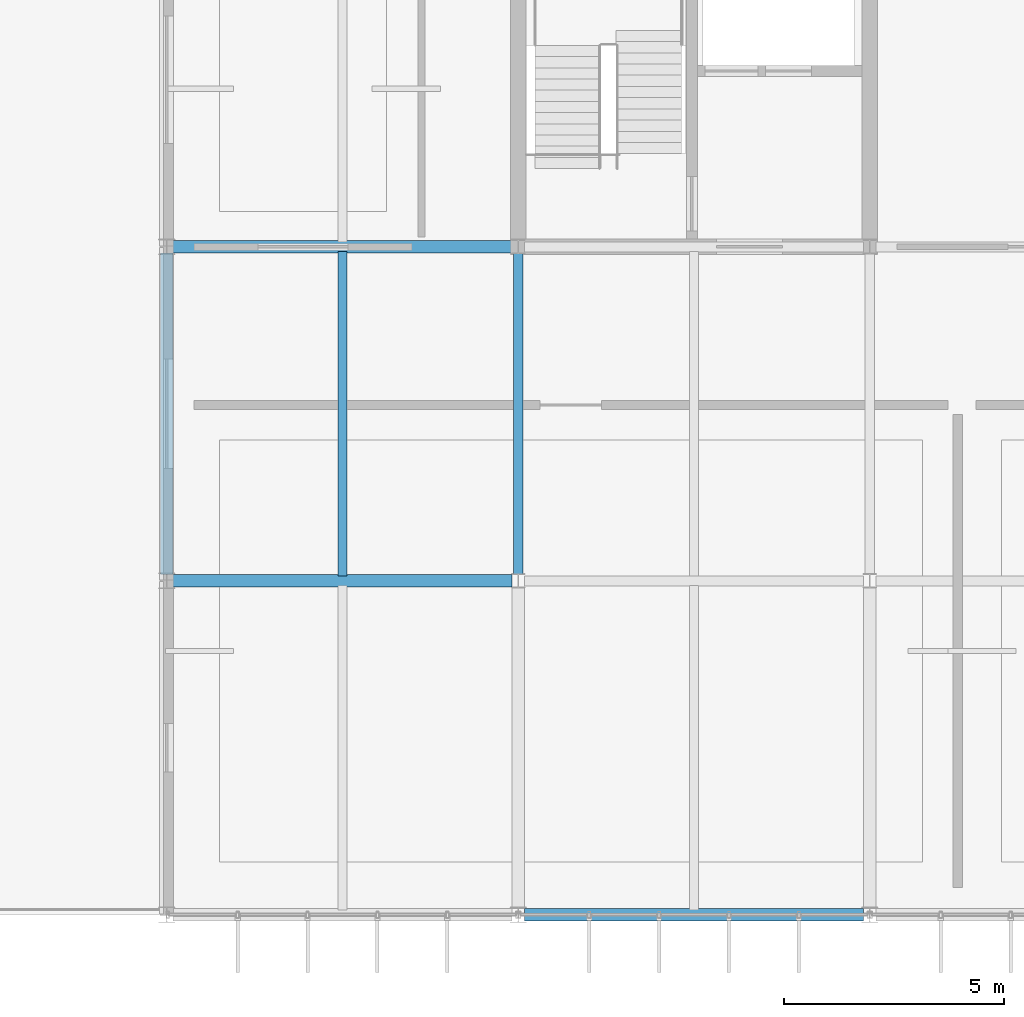
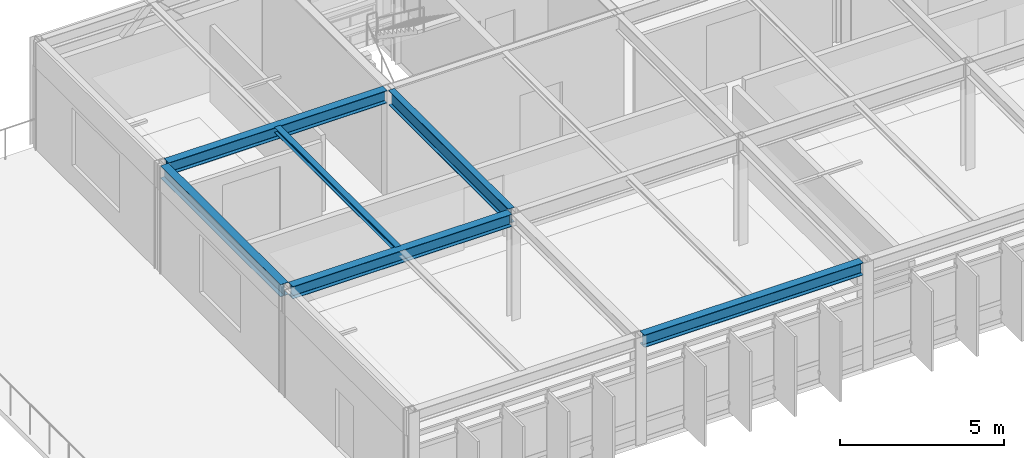
# One storey, part 10 of 45: 6 beams.
"""IFC4 building model written with IfcOpenShell, lengths in metres."""

import ifcopenshell
import ifcopenshell.guid

model = None  # the IFC model being written
_history = None  # IfcOwnerHistory: only IFC2X3 demands one
_inside = {}  # id of a spatial element -> (the spatial element, [elements in it])
_under = {}  # id of a project, library or spatial element -> (it, [spatial elements below it])
_declared = {}  # id of a project -> (the project, [libraries it declares])
_typed = {}  # id of a type object -> (the type object, [elements of that type])
_made_of = {}  # id of a material, layer set ... -> (it, [elements and type objects made of it])


def new_model(schema):
    """Start an empty IFC model of exactly this schema.

    Asked for "IFC4X3", IfcOpenShell would pick the latest addendum, in which some entities
    have other attributes; the version numbers below select the first issue.
    IFC2X3 requires an IfcOwnerHistory on every rooted entity: one is made here for all.
    """
    global model, _history
    if schema == "IFC4X3":
        model = ifcopenshell.file(schema_version=(4, 3, 0, 0))
    else:
        model = ifcopenshell.file(schema=schema)
    _inside.clear()
    _under.clear()
    _declared.clear()
    _typed.clear()
    _made_of.clear()
    _history = None
    if model.schema == "IFC2X3":
        org = make("IfcOrganization", Name="unknown")
        user = make(
            "IfcPersonAndOrganization",
            ThePerson=make("IfcPerson", FamilyName="unknown"),
            TheOrganization=org,
        )
        app = make(
            "IfcApplication",
            ApplicationDeveloper=org,
            Version="unknown",
            ApplicationFullName="unknown",
            ApplicationIdentifier="unknown",
        )
        _history = make(
            "IfcOwnerHistory",
            OwningUser=user,
            OwningApplication=app,
            ChangeAction="ADDED",
            CreationDate=0,
        )
    return model


def make(cls, **values):
    """One entity of the class cls with the attributes given. An attribute that is None is left unset."""
    return model.create_entity(
        cls, **{name: value for name, value in values.items() if value is not None}
    )


def rooted(cls, **values):
    """An entity with a GlobalId (a new one), such as an element, a storey or a relation."""
    return make(cls, GlobalId=ifcopenshell.guid.new(), OwnerHistory=_history, **values)


def si_unit(unit_type, name, prefix=None):
    """IfcSIUnit, for example si_unit("LENGTHUNIT", "METRE", prefix="MILLI")."""
    return make("IfcSIUnit", UnitType=unit_type, Prefix=prefix, Name=name)


def assignment(units):
    """IfcUnitAssignment: the units of a project."""
    return None if units is None else make("IfcUnitAssignment", Units=units)


def point(xyz):
    """IfcCartesianPoint."""
    return None if xyz is None else make("IfcCartesianPoint", Coordinates=xyz)


def direction(xyz):
    """IfcDirection."""
    return None if xyz is None else make("IfcDirection", DirectionRatios=xyz)


def frame(location, z_axis=None, x_axis=None):
    """IfcAxis2Placement3D, a coordinate frame: its origin and axes. An axis left out is left unset."""
    return make(
        "IfcAxis2Placement3D",
        Location=point(location),
        Axis=direction(z_axis),
        RefDirection=direction(x_axis),
    )


def frame_2d(location, x_axis=None):
    """IfcAxis2Placement2D, a coordinate frame in the plane: its origin and x axis."""
    return make(
        "IfcAxis2Placement2D", Location=point(location), RefDirection=direction(x_axis)
    )


def origin():
    """The frame at (0, 0, 0) with its axes left unset."""
    return frame((0.0, 0.0, 0.0))


def origin_2d():
    """The frame at (0, 0) in the plane with its x axis left unset."""
    return frame_2d((0.0, 0.0))


def place(relative_to, where):
    """IfcLocalPlacement: puts the frame where relative to a parent placement (None: the world)."""
    return make(
        "IfcLocalPlacement", PlacementRelTo=relative_to, RelativePlacement=where
    )


def context(
    kind, dimensions, precision=None, world=None, true_north=None, identifier=None
):
    """IfcGeometricRepresentationContext, for example the 3D "Model" context."""
    return make(
        "IfcGeometricRepresentationContext",
        ContextIdentifier=identifier,
        ContextType=kind,
        CoordinateSpaceDimension=dimensions,
        Precision=precision,
        WorldCoordinateSystem=world,
        TrueNorth=true_north,
    )


def subcontext(parent, identifier, kind, view, scale=None):
    """IfcGeometricRepresentationSubContext, for example "Body" below "Model"."""
    return make(
        "IfcGeometricRepresentationSubContext",
        ContextIdentifier=identifier,
        ContextType=kind,
        ParentContext=parent,
        TargetScale=scale,
        TargetView=view,
    )


def project(units=None, contexts=None):
    """IfcProject with its units and contexts."""
    return rooted(
        "IfcProject",
        Name="project",
        RepresentationContexts=contexts,
        UnitsInContext=assignment(units),
    )


def spatial(cls, under=None, at=None, **own):
    """A site, building, storey or space (cls), placed at a placement, below another one or the project."""
    s = rooted(cls, ObjectPlacement=at, **own)
    if under is not None:
        _under.setdefault(under.id(), (under, []))[1].append(s)
    return s


def profile(cls, at=None, kind="AREA", **sizes):
    """A parametric profile (cls). Its sizes go by their IFC names, for example OverallWidth=200.0."""
    return make(cls, ProfileType=kind, Position=at, **sizes)


def i_section(**sizes):
    """IfcIShapeProfileDef."""
    return profile("IfcIShapeProfileDef", **sizes)


def extrude(swept, where, along, depth):
    """IfcExtrudedAreaSolid: the profile swept, set in the frame where, extruded along a direction by depth."""
    return make(
        "IfcExtrudedAreaSolid",
        SweptArea=swept,
        Position=where,
        ExtrudedDirection=direction(along),
        Depth=depth,
    )


def shape(context_of_items, identifier, shape_type, items):
    """IfcShapeRepresentation: the items that make up one representation, for example the "Body"."""
    return make(
        "IfcShapeRepresentation",
        ContextOfItems=context_of_items,
        RepresentationIdentifier=identifier,
        RepresentationType=shape_type,
        Items=items,
    )


def material(Name=None, Category=None):
    """IfcMaterial."""
    return make("IfcMaterial", Name=Name, Category=Category)


def material_profile(
    of_material, cross_section, Name=None, Category=None, Priority=None
):
    """IfcMaterialProfile: a cross section and its material."""
    return make(
        "IfcMaterialProfile",
        Name=Name,
        Material=of_material,
        Profile=cross_section,
        Priority=Priority,
        Category=Category,
    )


def profile_set(profiles, Name=None, composite=None):
    """IfcMaterialProfileSet."""
    return make(
        "IfcMaterialProfileSet",
        Name=Name,
        MaterialProfiles=profiles,
        CompositeProfile=composite,
    )


def made_of(thing, what):
    """Note that an element or type object is made of a material, layer set ...; save() writes the relation."""
    if what is not None:
        _made_of.setdefault(what.id(), (what, []))[1].append(thing)
    return thing


def type_object(cls, material=None, **own):
    """A type object (cls), such as IfcWallType, which elements share."""
    return made_of(rooted(cls, **own), material)


def element(
    cls,
    number,
    at=None,
    inside=None,
    cuts=None,
    type_object=None,
    material=None,
    context=None,
    identifier="Body",
    shape_type=None,
    held_by="IfcProductDefinitionShape",
    body=None,
    shapes=None,
    **own,
):
    """One element of the class cls, such as IfcWall. Its Tag is "e" and its number.

    at: its placement. inside: the storey or other place that contains it. cuts: it is an
    opening in that element (IfcRelVoidsElement). A single representation is given by context,
    identifier, shape_type and body (its items); several are given by shapes. held_by: the class
    of the entity that holds the representations. save() writes the other relations.
    """
    e = rooted(cls, Tag="e%d" % number, ObjectPlacement=at, **own)
    if body is not None:
        shapes = [shape(context, identifier, shape_type, body)]
    if shapes is not None:
        e.Representation = make(held_by, Representations=shapes)
    if inside is not None:
        _inside.setdefault(inside.id(), (inside, []))[1].append(e)
    if cuts is not None:
        rooted(
            "IfcRelVoidsElement", RelatingBuildingElement=cuts, RelatedOpeningElement=e
        )
    if type_object is not None:
        _typed.setdefault(type_object.id(), (type_object, []))[1].append(e)
    return made_of(e, material)


def aggregate(whole, parts):
    """IfcRelAggregates: a whole, such as a stair, and the parts it consists of."""
    return rooted("IfcRelAggregates", RelatingObject=whole, RelatedObjects=parts)


def save(model, path):
    """Write the relations noted so far, then the file.

    IfcRelAggregates (storeys below a building ...), IfcRelContainedInSpatialStructure (elements
    in a storey), IfcRelDefinesByType, IfcRelAssociatesMaterial and IfcRelDeclares: one each for
    every whole, place, type object, material and project.
    """
    for whole, parts in _under.values():
        aggregate(whole, parts)
    for where, things in _inside.values():
        rooted(
            "IfcRelContainedInSpatialStructure",
            RelatedElements=things,
            RelatingStructure=where,
        )
    for kind, things in _typed.values():
        rooted("IfcRelDefinesByType", RelatedObjects=things, RelatingType=kind)
    for what, things in _made_of.values():
        rooted("IfcRelAssociatesMaterial", RelatedObjects=things, RelatingMaterial=what)
    for by, libraries in _declared.values():
        rooted("IfcRelDeclares", RelatingContext=by, RelatedDefinitions=libraries)
    model.write(path)


model = new_model("IFC4")

# Units and contexts
model_context = context("Model", 3, precision=1e-05, world=origin(), true_north=direction((0.0, 1.0)))
body_context = subcontext(model_context, "Body", "Model", "MODEL_VIEW")
ifc_project = project(units=[si_unit("LENGTHUNIT", "METRE"), si_unit("AREAUNIT", "SQUARE_METRE"), si_unit("VOLUMEUNIT", "CUBIC_METRE"), si_unit("PLANEANGLEUNIT", "RADIAN"), si_unit("MASSUNIT", "GRAM", prefix="KILO")], contexts=[model_context])

# Site, building, storey
site_placement = place(None, origin())
site = spatial("IfcSite", under=ifc_project, at=site_placement, CompositionType="ELEMENT")
building_placement = place(site_placement, origin())
building = spatial("IfcBuilding", under=site, at=building_placement, Name="Zulena Civic Courthouse", CompositionType="ELEMENT")
storey_placement = place(building_placement, frame((0.0, 0.0, 29.39990234375)))
storey = spatial("IfcBuildingStorey", under=building, at=storey_placement, Name="L06", CompositionType="ELEMENT", Elevation=29.39990234375)

# Beams
ifc_material = material(Name="Steel ASTM A992 Grade 50", Category="steel")
ifc_material_profile_1 = material_profile(ifc_material, i_section(OverallWidth=0.214111328125, OverallDepth=0.549072265625, WebThickness=0.0146484375, FlangeThickness=0.023681640625, FilletRadius=0.0126953125, at=origin_2d()), Name="W21X93")
ifc_profile_set_1 = profile_set([ifc_material_profile_1], Name="Steel ASTM A992 Grade 50")
beam_type_1 = type_object("IfcBeamType", Name="Girder_W21X93", PredefinedType="BEAM", material=ifc_profile_set_1)
beam_1_placement = place(storey_placement, frame((20.0, 7.7451171875, 3.7255859375), z_axis=(0.0, 1.0, 0.0), x_axis=(-1.0, 0.0, 0.0)))
element("IfcBeam", 1, at=beam_1_placement, inside=storey, type_object=beam_type_1, Name="beam:Y:V2:L06:20.0:7.6_15.2", PredefinedType="BEAM", context=body_context, shape_type="SweptSolid", body=[
    extrude(i_section(OverallWidth=0.214111328125, OverallDepth=0.549072265625, WebThickness=0.0146484375, FlangeThickness=0.023681640625, FilletRadius=0.0126953125, at=origin_2d()), origin(), (0.0, 0.0, 1.0), 7.309814453125),
])
ifc_material_profile_2 = material_profile(ifc_material, i_section(OverallWidth=0.202880859375, OverallDepth=0.202880859375, WebThickness=0.007080078125, FlangeThickness=0.010986328125, FilletRadius=0.007568359375, at=origin_2d()), Name="W8X31")
ifc_profile_set_2 = profile_set([ifc_material_profile_2], Name="Steel ASTM A992 Grade 50")
beam_type_2 = type_object("IfcBeamType", Name="Joist_W8X31", PredefinedType="JOIST", material=ifc_profile_set_2)
beam_2_placement = place(storey_placement, frame((16.0, 7.705078125, 3.898681640625), z_axis=(0.0, 1.0, 0.0), x_axis=(-1.0, 0.0, 0.0)))
element("IfcBeam", 2, at=beam_2_placement, inside=storey, type_object=beam_type_2, Name="joist:V2:L06:16.00:7.6_15.2", PredefinedType="JOIST", context=body_context, shape_type="SweptSolid", body=[
    extrude(i_section(OverallWidth=0.202880859375, OverallDepth=0.202880859375, WebThickness=0.007080078125, FlangeThickness=0.010986328125, FilletRadius=0.007568359375, at=origin_2d()), origin(), (0.0, 0.0, 1.0), 7.389892578125),
])
ifc_material_profile_3 = material_profile(ifc_material, i_section(OverallWidth=0.280029296875, OverallDepth=0.462890625, WebThickness=0.0107421875, FlangeThickness=0.017333984375, FilletRadius=0.01025390625, at=origin_2d()), Name="W18X76")
ifc_profile_set_3 = profile_set([ifc_material_profile_3], Name="Steel ASTM A992 Grade 50")
beam_type_3 = type_object("IfcBeamType", Name="Spandrel_W18X76", PredefinedType="SPANDREL", material=ifc_profile_set_3)
for number, where, z_axis, x_axis, name in (
    (3, (20.14501953125, 0.0, 3.7685546875), (1.0, 0.0, 0.0), (0.0, 1.0, 0.0), "beam:X:V2:L06:0.0:20.0_28.0"),
    (4, (12.14501953125, 7.60009765625, 3.7685546875), (1.0, 0.0, 0.0), (0.0, 1.0, 0.0), "beam:X:V2:L06:7.6:12.0_20.0"),
    (5, (12.14501953125, 15.199951171875, 3.7685546875), (1.0, 0.0, 0.0), (0.0, 1.0, 0.0), "beam:X:V2:L06:15.2:12.0_20.0"),
):
    element("IfcBeam", number, at=place(storey_placement, frame(where, z_axis=z_axis, x_axis=x_axis)), inside=storey, type_object=beam_type_3, Name=name, PredefinedType="SPANDREL", context=body_context, shape_type="SweptSolid", body=[
        extrude(i_section(OverallWidth=0.280029296875, OverallDepth=0.462890625, WebThickness=0.0107421875, FlangeThickness=0.017333984375, FilletRadius=0.01025390625, at=origin_2d()), origin(), (0.0, 0.0, 1.0), 7.7099609375),
    ])
beam_3_placement = place(storey_placement, frame((12.0, 7.7451171875, 3.7685546875), z_axis=(0.0, 1.0, 0.0), x_axis=(-1.0, 0.0, 0.0)))
element("IfcBeam", 6, at=beam_3_placement, inside=storey, type_object=beam_type_3, Name="beam:Y:V2:L06:12.0:7.6_15.2", PredefinedType="SPANDREL", context=body_context, shape_type="SweptSolid", body=[
    extrude(i_section(OverallWidth=0.280029296875, OverallDepth=0.462890625, WebThickness=0.0107421875, FlangeThickness=0.017333984375, FilletRadius=0.01025390625, at=origin_2d()), origin(), (0.0, 0.0, 1.0), 7.309814453125),
])

save(model, "model.ifc")
